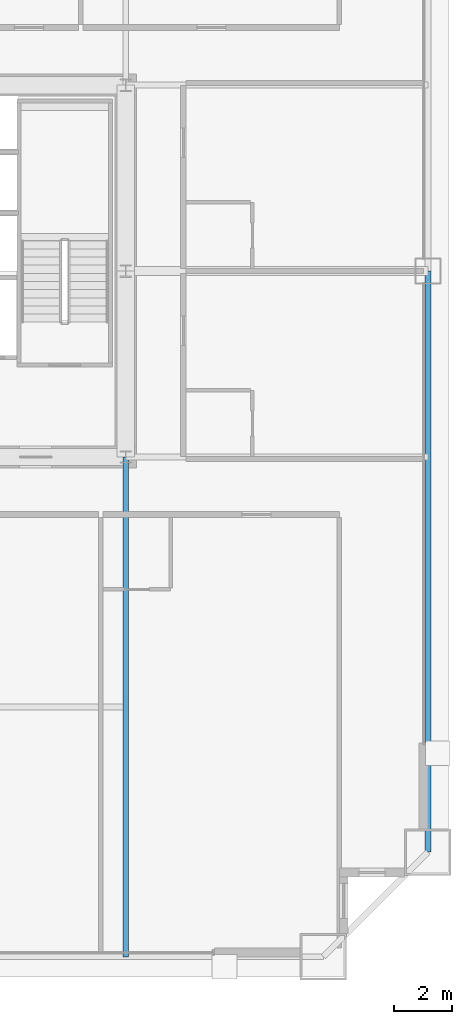
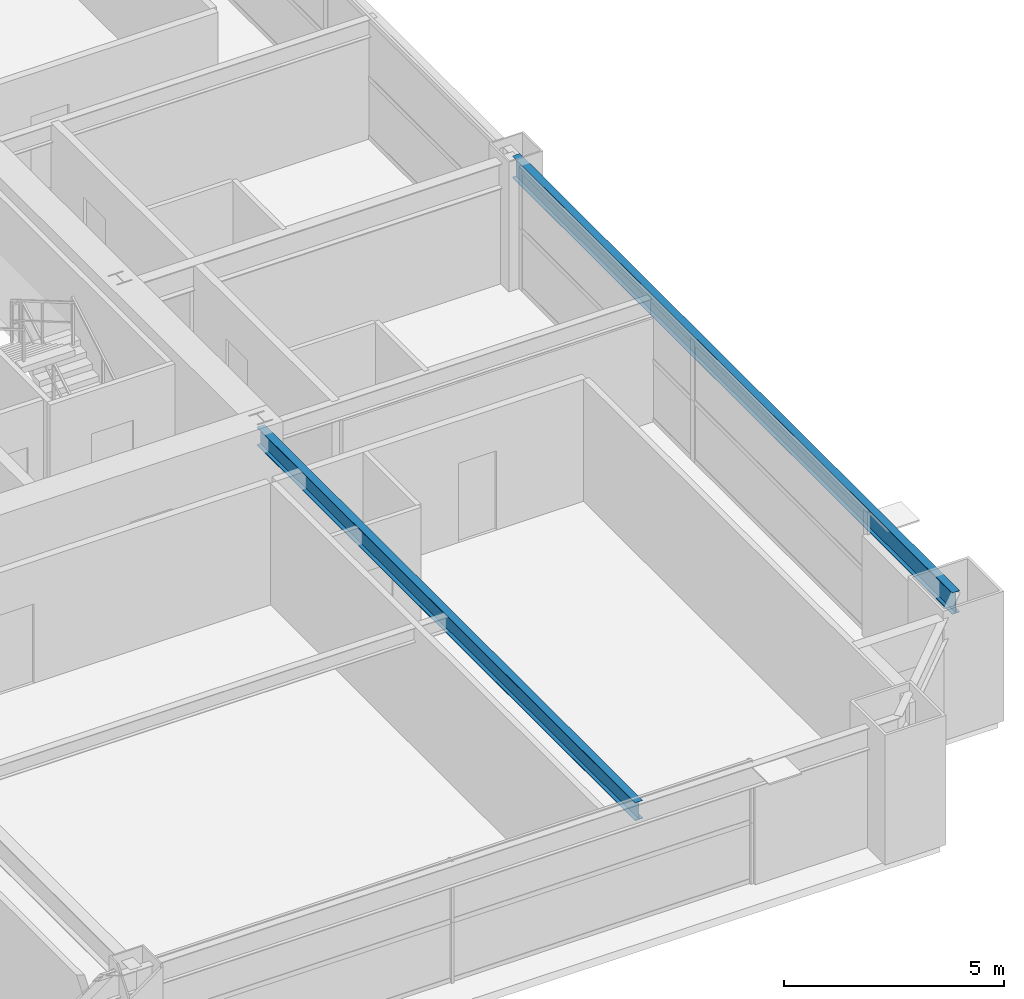
# One storey, part 16 of 38: 2 beams.
"""IFC4 building model written with IfcOpenShell, lengths in metres."""

from ifc_helpers import new_model, si_unit, direction, frame, origin, origin_2d, place, context, subcontext, project, spatial, i_section, extrude, source, transform, mapped, material, material_profile, profile_set, type_object, element, save


model = new_model("IFC4")

# Units and contexts
model_context = context("Model", 3, precision=1e-05, world=origin(), true_north=direction((0.0, 1.0)))
body_context = subcontext(model_context, "Body", "Model", "MODEL_VIEW")
ifc_project = project(units=[si_unit("LENGTHUNIT", "METRE"), si_unit("AREAUNIT", "SQUARE_METRE"), si_unit("VOLUMEUNIT", "CUBIC_METRE"), si_unit("PLANEANGLEUNIT", "RADIAN"), si_unit("MASSUNIT", "GRAM", prefix="KILO"), si_unit("THERMODYNAMICTEMPERATUREUNIT", "KELVIN"), si_unit("POWERUNIT", "WATT")], contexts=[model_context])

# Site, building, storey
site_placement = place(None, origin())
site = spatial("IfcSite", under=ifc_project, at=site_placement, CompositionType="ELEMENT")
building_placement = place(site_placement, origin())
building = spatial("IfcBuilding", under=site, at=building_placement, Name="Yuzanri Waterfront Tower", CompositionType="ELEMENT")
storey_placement = place(building_placement, frame((0.0, 0.0, 111.800048828125)))
storey = spatial("IfcBuildingStorey", under=building, at=storey_placement, Name="L29", CompositionType="ELEMENT", Elevation=111.800048828125)

# Beams
ifc_material_1 = material(Name="Steel Q355B", Category="steel")
ifc_material_profile_1 = material_profile(ifc_material_1, i_section(OverallWidth=0.199951171875, OverallDepth=0.60009765625, WebThickness=0.010986328125, FlangeThickness=0.01708984375, at=origin_2d()), Name="HN 600x200x11x17")
ifc_profile_set_1 = profile_set([ifc_material_profile_1], Name="Steel Q355B")
beam_type_1 = type_object("IfcBeamType", Name="Perimeter Spandrel Q355B HN 600x200", PredefinedType="SPANDREL", material=ifc_profile_set_1)
shared_shape_1 = source(origin(), body_context, "Body", "SweptSolid", [
    extrude(i_section(OverallWidth=0.199951171875, OverallDepth=0.60009765625, WebThickness=0.010986328125, FlangeThickness=0.01708984375, at=origin_2d()), origin(), (0.0, 0.0, 1.0), 20.0),
])
beam_1_placement = place(storey_placement, frame((60.60009765625, 5.800048828125, 3.079833984375), z_axis=(0.0, 1.0, 0.0), x_axis=(-1.0, 0.0, 0.0)))
element("IfcBeam", 1, at=beam_1_placement, inside=storey, type_object=beam_type_1, Name="L29 Perimeter Spandrel E1-E2", PredefinedType="SPANDREL", context=body_context, shape_type="MappedRepresentation", body=[
    mapped(shared_shape_1, transform((0.0, 0.0, 0.0), scale=1.0)),
])
ifc_material_2 = material(Name="Steel Q355B", Category="steel")
ifc_material_profile_2 = material_profile(ifc_material_2, i_section(OverallWidth=0.199951171875, OverallDepth=0.5, WebThickness=0.010009765625, FlangeThickness=0.01611328125, at=origin_2d()), Name="HN 500x200x10x16")
ifc_profile_set_2 = profile_set([ifc_material_profile_2], Name="Steel Q355B")
beam_type_2 = type_object("IfcBeamType", Name="Secondary Floor Beam Q355B HN 500x200", PredefinedType="BEAM", material=ifc_profile_set_2)
shared_shape_2 = source(origin(), body_context, "Body", "SweptSolid", [
    extrude(i_section(OverallWidth=0.199951171875, OverallDepth=0.5, WebThickness=0.010009765625, FlangeThickness=0.01611328125, at=origin_2d()), origin(), (0.0, 0.0, 1.0), 17.199951171875),
])
beam_2_placement = place(storey_placement, frame((50.199951171875, 19.39990234375, 3.1298828125), z_axis=(0.0, -1.0, 0.0), x_axis=(1.0, 0.0, 0.0)))
element("IfcBeam", 2, at=beam_2_placement, inside=storey, type_object=beam_type_2, Name="L29 South-East Core Line Beam", PredefinedType="BEAM", context=body_context, shape_type="MappedRepresentation", body=[
    mapped(shared_shape_2, transform((0.0, 0.0, 0.0), scale=1.0)),
])

save(model, "model.ifc")
